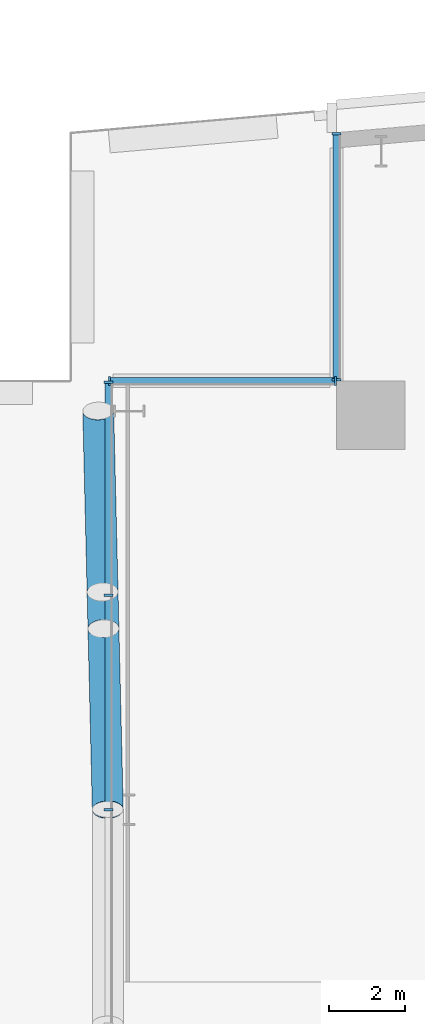
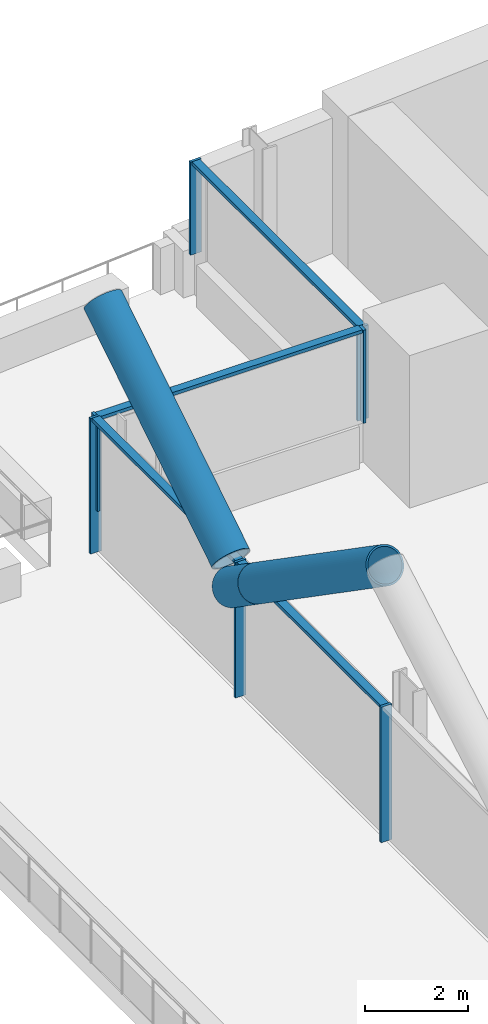
# One storey, part 6 of 26: 14 members, 3 elements without a shape of their own.
"""IFC4 building model written with IfcOpenShell, lengths in metres."""

from ifc_helpers import new_model, si_unit, direction, frame, origin, origin_2d, place, context, subcontext, project, spatial, rectangle, hollow_circle, extrude, material, material_profile, profile_set, type_object, element, aggregate, save


model = new_model("IFC4")

# Units and contexts
model_context = context("Model", 3, precision=1e-05, world=origin(), true_north=direction((0.0, 1.0)))
body_context = subcontext(model_context, "Body", "Model", "MODEL_VIEW")
ifc_project = project(units=[si_unit("LENGTHUNIT", "METRE"), si_unit("AREAUNIT", "SQUARE_METRE"), si_unit("VOLUMEUNIT", "CUBIC_METRE"), si_unit("PLANEANGLEUNIT", "RADIAN"), si_unit("MASSUNIT", "GRAM", prefix="KILO")], contexts=[model_context])

# Site, building, storey
site_placement = place(None, origin())
site = spatial("IfcSite", under=ifc_project, at=site_placement, CompositionType="ELEMENT")
building_placement = place(site_placement, origin())
building = spatial("IfcBuilding", under=site, at=building_placement, Name="Wharfspan Tower", CompositionType="ELEMENT")
storey_placement = place(building_placement, frame((0.0, 0.0, 96.699951)))
storey = spatial("IfcBuildingStorey", under=building, at=storey_placement, Name="L21", CompositionType="ELEMENT", Elevation=96.699951)

# Member
ifc_material_1 = material(Name="Steel S460NH", Category="steel")
ifc_material_profile_1 = material_profile(ifc_material_1, hollow_circle(Radius=0.406494, WallThickness=0.040039, at=origin_2d()))
ifc_profile_set_1 = profile_set([ifc_material_profile_1], Name="Steel S460NH")
member_type_1 = type_object("IfcMemberType", Name="Brace node tie CHS 813x40", PredefinedType="STRUT", material=ifc_profile_set_1)
member_1_placement = place(storey_placement, frame((6.848145, 36.447021, 2.572754), z_axis=(0.01964, -0.824043, 0.566186), x_axis=(0.999716, 0.023829, 3e-06)))
element("IfcMember", 1, at=member_1_placement, inside=storey, type_object=member_type_1, Name="Brace node tie L21 W4", PredefinedType="STRUT", context=body_context, shape_type="SweptSolid", body=[
    extrude(hollow_circle(Radius=0.406494, WallThickness=0.040039, at=origin_2d()), origin(), (0.0, 0.0, 1.0), 1.156006),
])

# Curtain wall, members
ifc_material_2 = material(Name="Aluminium 6063-T6", Category="aluminium")
curtain_wall_type = type_object("IfcCurtainWallType", Name="CURTAIN WALL PROW AND END", PredefinedType="NOTDEFINED", material=ifc_material_2)
curtain_wall_1_placement = place(storey_placement, origin())
curtain_wall_1 = element("IfcCurtainWall", 2, at=curtain_wall_1_placement, inside=storey, type_object=curtain_wall_type, Name="Curtain wall NRW-V", PredefinedType="NOTDEFINED")
ifc_material_profile_2 = material_profile(ifc_material_2, rectangle(XDim=0.23999, YDim=0.060059, at=origin_2d()))
ifc_profile_set_2 = profile_set([ifc_material_profile_2], Name="Aluminium 6063-T6")
member_type_2 = type_object("IfcMemberType", Name="MULLION PROW AND END 60x240", PredefinedType="MULLION", material=ifc_profile_set_2)
member_2_placement = place(storey_placement, frame((13.0, 48.494873, 1.0), z_axis=(0.0, 0.0, 1.0), x_axis=(1.0, 0.0, 0.0)))
member_2 = element("IfcMember", 3, at=member_2_placement, type_object=member_type_2, Name="Curtain wall NRW-V mullion 1", PredefinedType="MULLION", context=body_context, shape_type="SweptSolid", body=[
    extrude(rectangle(XDim=0.23999, YDim=0.060059, at=origin_2d()), origin(), (0.0, 0.0, 1.0), 2.199951),
])
member_3_placement = place(storey_placement, frame((13.0, 42.030029, 1.0), z_axis=(0.0, 0.0, 1.0), x_axis=(1.0, 0.0, 0.0)))
member_3 = element("IfcMember", 4, at=member_3_placement, type_object=member_type_2, Name="Curtain wall NRW-V mullion 2", PredefinedType="MULLION", context=body_context, shape_type="SweptSolid", body=[
    extrude(rectangle(XDim=0.23999, YDim=0.060059, at=origin_2d()), origin(), (0.0, 0.0, 1.0), 2.199951),
])

curtain_wall_2_placement = place(storey_placement, origin())
curtain_wall_2 = element("IfcCurtainWall", 5, at=curtain_wall_2_placement, inside=storey, type_object=curtain_wall_type, Name="Curtain wall NRW-H", PredefinedType="NOTDEFINED")
member_4_placement = place(storey_placement, frame((12.969971, 42.0, 1.0), z_axis=(0.0, 0.0, 1.0), x_axis=(0.0, -1.0, 0.0)))
member_4 = element("IfcMember", 6, at=member_4_placement, type_object=member_type_2, Name="Curtain wall NRW-H mullion 1", PredefinedType="MULLION", context=body_context, shape_type="SweptSolid", body=[
    extrude(rectangle(XDim=0.23999, YDim=0.060059, at=origin_2d()), origin(), (0.0, 0.0, 1.0), 2.199951),
])
member_5_placement = place(storey_placement, frame((7.030029, 42.0, 1.0), z_axis=(0.0, 0.0, 1.0), x_axis=(0.0, -1.0, 0.0)))
member_5 = element("IfcMember", 7, at=member_5_placement, type_object=member_type_2, Name="Curtain wall NRW-H mullion 2", PredefinedType="MULLION", context=body_context, shape_type="SweptSolid", body=[
    extrude(rectangle(XDim=0.23999, YDim=0.060059, at=origin_2d()), origin(), (0.0, 0.0, 1.0), 2.199951),
])

curtain_wall_3_placement = place(storey_placement, origin())
curtain_wall_3 = element("IfcCurtainWall", 8, at=curtain_wall_3_placement, inside=storey, type_object=curtain_wall_type, Name="Curtain wall W", PredefinedType="NOTDEFINED")
member_6_placement = place(storey_placement, frame((7.0, 41.969971, 0.0), z_axis=(0.0, 0.0, 1.0), x_axis=(1.0, 0.0, 0.0)))
member_6 = element("IfcMember", 9, at=member_6_placement, type_object=member_type_2, Name="Curtain wall W mullion 1", PredefinedType="MULLION", context=body_context, shape_type="SweptSolid", body=[
    extrude(rectangle(XDim=0.23999, YDim=0.060059, at=origin_2d()), origin(), (0.0, 0.0, 1.0), 3.199951),
])
member_7_placement = place(storey_placement, frame((7.0, 36.366699, 0.0), z_axis=(0.0, 0.0, 1.0), x_axis=(1.0, 0.0, 0.0)))
member_7 = element("IfcMember", 10, at=member_7_placement, type_object=member_type_2, Name="Curtain wall W mullion 2", PredefinedType="MULLION", context=body_context, shape_type="SweptSolid", body=[
    extrude(rectangle(XDim=0.23999, YDim=0.060059, at=origin_2d()), origin(), (0.0, 0.0, 1.0), 3.199951),
])
member_8_placement = place(storey_placement, frame((7.0, 30.733398, 0.0), z_axis=(0.0, 0.0, 1.0), x_axis=(1.0, 0.0, 0.0)))
member_8 = element("IfcMember", 11, at=member_8_placement, type_object=member_type_2, Name="Curtain wall W mullion 3", PredefinedType="MULLION", context=body_context, shape_type="SweptSolid", body=[
    extrude(rectangle(XDim=0.23999, YDim=0.060059, at=origin_2d()), origin(), (0.0, 0.0, 1.0), 3.199951),
])

# Members
ifc_material_profile_3 = material_profile(ifc_material_1, hollow_circle(Radius=0.406494, WallThickness=0.040039, at=origin_2d()))
ifc_profile_set_3 = profile_set([ifc_material_profile_3], Name="Steel S460NH")
member_type_3 = type_object("IfcMemberType", Name="Mega brace CHS 813x40", PredefinedType="BRACE", material=ifc_profile_set_3)
member_9_placement = place(storey_placement, frame((6.871094, 35.486084, 3.233154), z_axis=(0.019766, -0.823932, 0.566344), x_axis=(0.999712, 0.023985, 3e-06)))
element("IfcMember", 12, at=member_9_placement, inside=storey, type_object=member_type_3, Name="Mega brace W4 L21 part 2", PredefinedType="BRACE", context=body_context, shape_type="SweptSolid", body=[
    extrude(hollow_circle(Radius=0.406494, WallThickness=0.040039, at=origin_2d()), origin(), (0.0, 0.0, 1.0), 5.768311),
])
member_10_placement = place(storey_placement, frame((6.8479, 36.455078, 3.233154), z_axis=(-0.019723, 0.823946, 0.566325), x_axis=(-0.999713, -0.023929, -2e-06)))
element("IfcMember", 13, at=member_10_placement, inside=storey, type_object=member_type_3, Name="Mega brace W4 L21 part 4", PredefinedType="BRACE", context=body_context, shape_type="SweptSolid", body=[
    extrude(hollow_circle(Radius=0.406494, WallThickness=0.040039, at=origin_2d()), origin(), (0.0, 0.0, 1.0), 5.768555),
])

# Member
ifc_material_profile_4 = material_profile(ifc_material_2, rectangle(XDim=0.179932, YDim=0.080078, at=origin_2d()))
ifc_profile_set_4 = profile_set([ifc_material_profile_4], Name="Aluminium 6063-T6")
member_type_4 = type_object("IfcMemberType", Name="TRANSOM PROW AND END 80x180", PredefinedType="USERDEFINED", material=ifc_profile_set_4)
member_11_placement = place(storey_placement, frame((13.0, 48.464844, 3.160156), z_axis=(0.0, -1.0, 0.0), x_axis=(1.0, 0.0, 0.0)))
member_11 = element("IfcMember", 14, at=member_11_placement, type_object=member_type_4, Name="Curtain wall NRW-V transom 1", ObjectType="TRANSOM", PredefinedType="USERDEFINED", context=body_context, shape_type="SweptSolid", body=[
    extrude(rectangle(XDim=0.179932, YDim=0.080078, at=origin_2d()), origin(), (0.0, 0.0, 1.0), 6.404785),
])

aggregate(curtain_wall_1, [member_2, member_3, member_11])

member_12_placement = place(storey_placement, frame((12.939941, 42.0, 3.160156), z_axis=(-1.0, 0.0, 0.0), x_axis=(0.0, -1.0, 0.0)))
member_12 = element("IfcMember", 15, at=member_12_placement, type_object=member_type_4, Name="Curtain wall NRW-H transom 1", ObjectType="TRANSOM", PredefinedType="USERDEFINED", context=body_context, shape_type="SweptSolid", body=[
    extrude(rectangle(XDim=0.179932, YDim=0.080078, at=origin_2d()), origin(), (0.0, 0.0, 1.0), 5.879883),
])

aggregate(curtain_wall_2, [member_4, member_5, member_12])

member_13_placement = place(storey_placement, frame((7.0, 41.939941, 3.160156), z_axis=(0.0, -1.0, 0.0), x_axis=(1.0, 0.0, 0.0)))
member_13 = element("IfcMember", 16, at=member_13_placement, type_object=member_type_4, Name="Curtain wall W transom 1", ObjectType="TRANSOM", PredefinedType="USERDEFINED", context=body_context, shape_type="SweptSolid", body=[
    extrude(rectangle(XDim=0.179932, YDim=0.080078, at=origin_2d()), origin(), (0.0, 0.0, 1.0), 5.543213),
])

member_14_placement = place(storey_placement, frame((7.0, 36.33667, 3.160156), z_axis=(0.0, -1.0, 0.0), x_axis=(1.0, 0.0, 0.0)))
member_14 = element("IfcMember", 17, at=member_14_placement, type_object=member_type_4, Name="Curtain wall W transom 2", ObjectType="TRANSOM", PredefinedType="USERDEFINED", context=body_context, shape_type="SweptSolid", body=[
    extrude(rectangle(XDim=0.179932, YDim=0.080078, at=origin_2d()), origin(), (0.0, 0.0, 1.0), 5.573242),
])

aggregate(curtain_wall_3, [member_6, member_7, member_8, member_13, member_14])

save(model, "model.ifc")
